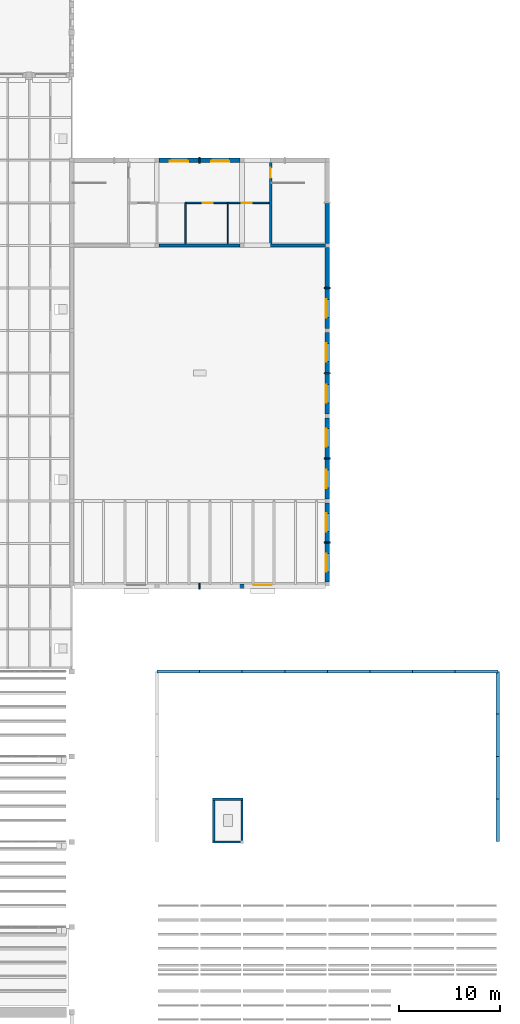
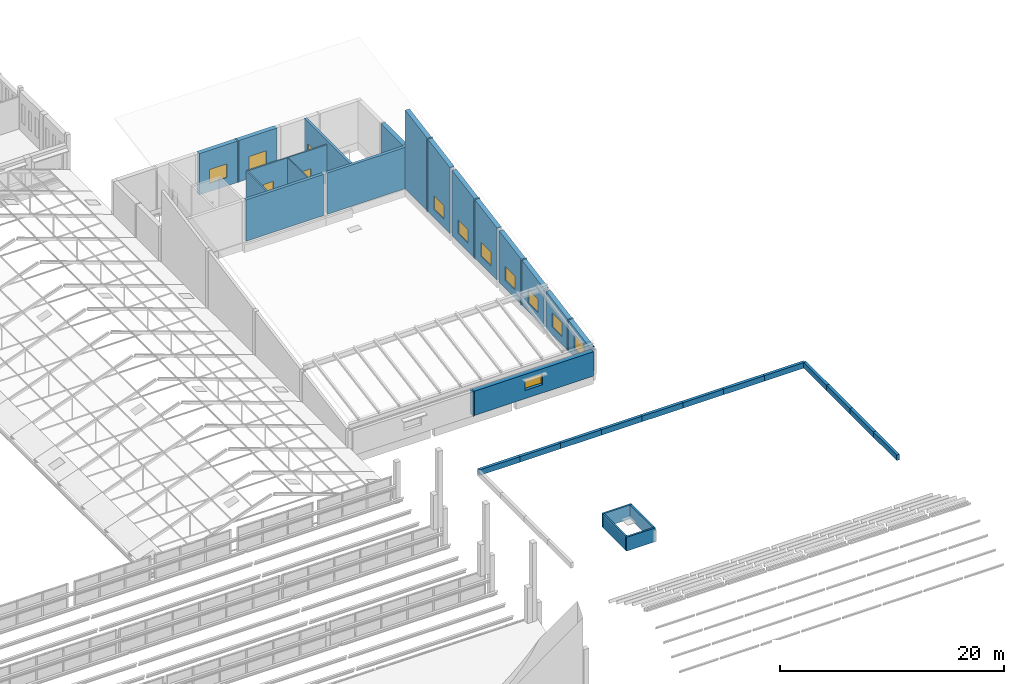
# One storey, part 102 of 116: 40 walls, 10 windows, 3 doors, 13 openings.
"""IFC4 building model written with IfcOpenShell, lengths in metres."""

import ifcopenshell
import ifcopenshell.guid

model = None  # the IFC model being written
_history = None  # IfcOwnerHistory: only IFC2X3 demands one
_inside = {}  # id of a spatial element -> (the spatial element, [elements in it])
_under = {}  # id of a project, library or spatial element -> (it, [spatial elements below it])
_declared = {}  # id of a project -> (the project, [libraries it declares])
_typed = {}  # id of a type object -> (the type object, [elements of that type])
_made_of = {}  # id of a material, layer set ... -> (it, [elements and type objects made of it])


def new_model(schema):
    """Start an empty IFC model of exactly this schema.

    Asked for "IFC4X3", IfcOpenShell would pick the latest addendum, in which some entities
    have other attributes; the version numbers below select the first issue.
    IFC2X3 requires an IfcOwnerHistory on every rooted entity: one is made here for all.
    """
    global model, _history
    if schema == "IFC4X3":
        model = ifcopenshell.file(schema_version=(4, 3, 0, 0))
    else:
        model = ifcopenshell.file(schema=schema)
    _inside.clear()
    _under.clear()
    _declared.clear()
    _typed.clear()
    _made_of.clear()
    _history = None
    if model.schema == "IFC2X3":
        org = make("IfcOrganization", Name="unknown")
        user = make(
            "IfcPersonAndOrganization",
            ThePerson=make("IfcPerson", FamilyName="unknown"),
            TheOrganization=org,
        )
        app = make(
            "IfcApplication",
            ApplicationDeveloper=org,
            Version="unknown",
            ApplicationFullName="unknown",
            ApplicationIdentifier="unknown",
        )
        _history = make(
            "IfcOwnerHistory",
            OwningUser=user,
            OwningApplication=app,
            ChangeAction="ADDED",
            CreationDate=0,
        )
    return model


def make(cls, **values):
    """One entity of the class cls with the attributes given. An attribute that is None is left unset."""
    return model.create_entity(
        cls, **{name: value for name, value in values.items() if value is not None}
    )


def rooted(cls, **values):
    """An entity with a GlobalId (a new one), such as an element, a storey or a relation."""
    return make(cls, GlobalId=ifcopenshell.guid.new(), OwnerHistory=_history, **values)


def si_unit(unit_type, name, prefix=None):
    """IfcSIUnit, for example si_unit("LENGTHUNIT", "METRE", prefix="MILLI")."""
    return make("IfcSIUnit", UnitType=unit_type, Prefix=prefix, Name=name)


def assignment(units):
    """IfcUnitAssignment: the units of a project."""
    return None if units is None else make("IfcUnitAssignment", Units=units)


def point(xyz):
    """IfcCartesianPoint."""
    return None if xyz is None else make("IfcCartesianPoint", Coordinates=xyz)


def direction(xyz):
    """IfcDirection."""
    return None if xyz is None else make("IfcDirection", DirectionRatios=xyz)


def frame(location, z_axis=None, x_axis=None):
    """IfcAxis2Placement3D, a coordinate frame: its origin and axes. An axis left out is left unset."""
    return make(
        "IfcAxis2Placement3D",
        Location=point(location),
        Axis=direction(z_axis),
        RefDirection=direction(x_axis),
    )


def frame_2d(location, x_axis=None):
    """IfcAxis2Placement2D, a coordinate frame in the plane: its origin and x axis."""
    return make(
        "IfcAxis2Placement2D", Location=point(location), RefDirection=direction(x_axis)
    )


def origin():
    """The frame at (0, 0, 0) with its axes left unset."""
    return frame((0.0, 0.0, 0.0))


def place(relative_to, where):
    """IfcLocalPlacement: puts the frame where relative to a parent placement (None: the world)."""
    return make(
        "IfcLocalPlacement", PlacementRelTo=relative_to, RelativePlacement=where
    )


def context(
    kind, dimensions, precision=None, world=None, true_north=None, identifier=None
):
    """IfcGeometricRepresentationContext, for example the 3D "Model" context."""
    return make(
        "IfcGeometricRepresentationContext",
        ContextIdentifier=identifier,
        ContextType=kind,
        CoordinateSpaceDimension=dimensions,
        Precision=precision,
        WorldCoordinateSystem=world,
        TrueNorth=true_north,
    )


def subcontext(parent, identifier, kind, view, scale=None):
    """IfcGeometricRepresentationSubContext, for example "Body" below "Model"."""
    return make(
        "IfcGeometricRepresentationSubContext",
        ContextIdentifier=identifier,
        ContextType=kind,
        ParentContext=parent,
        TargetScale=scale,
        TargetView=view,
    )


def project(units=None, contexts=None):
    """IfcProject with its units and contexts."""
    return rooted(
        "IfcProject",
        Name="project",
        RepresentationContexts=contexts,
        UnitsInContext=assignment(units),
    )


def spatial(cls, under=None, at=None, **own):
    """A site, building, storey or space (cls), placed at a placement, below another one or the project."""
    s = rooted(cls, ObjectPlacement=at, **own)
    if under is not None:
        _under.setdefault(under.id(), (under, []))[1].append(s)
    return s


def polyline(points):
    """IfcPolyline through the points."""
    return make("IfcPolyline", Points=[point(p) for p in points])


def profile(cls, at=None, kind="AREA", **sizes):
    """A parametric profile (cls). Its sizes go by their IFC names, for example OverallWidth=200.0."""
    return make(cls, ProfileType=kind, Position=at, **sizes)


def rectangle(**sizes):
    """IfcRectangleProfileDef."""
    return profile("IfcRectangleProfileDef", **sizes)


def outline(outer, holes=None, kind="AREA"):
    """IfcArbitraryClosedProfileDef: a profile drawn as a closed curve; with holes, ...WithVoids."""
    if holes is None:
        return make("IfcArbitraryClosedProfileDef", ProfileType=kind, OuterCurve=outer)
    return make(
        "IfcArbitraryProfileDefWithVoids",
        ProfileType=kind,
        OuterCurve=outer,
        InnerCurves=holes,
    )


def extrude(swept, where, along, depth):
    """IfcExtrudedAreaSolid: the profile swept, set in the frame where, extruded along a direction by depth."""
    return make(
        "IfcExtrudedAreaSolid",
        SweptArea=swept,
        Position=where,
        ExtrudedDirection=direction(along),
        Depth=depth,
    )


def shape(context_of_items, identifier, shape_type, items):
    """IfcShapeRepresentation: the items that make up one representation, for example the "Body"."""
    return make(
        "IfcShapeRepresentation",
        ContextOfItems=context_of_items,
        RepresentationIdentifier=identifier,
        RepresentationType=shape_type,
        Items=items,
    )


def material(Name=None, Category=None):
    """IfcMaterial."""
    return make("IfcMaterial", Name=Name, Category=Category)


def layer(
    of_material, thickness, ventilated=None, Name=None, Category=None, Priority=None
):
    """IfcMaterialLayer: one layer of a wall or slab, of a material (None: an air gap)."""
    return make(
        "IfcMaterialLayer",
        Material=of_material,
        LayerThickness=thickness,
        IsVentilated=ventilated,
        Name=Name,
        Category=Category,
        Priority=Priority,
    )


def layer_set(layers, Name=None):
    """IfcMaterialLayerSet."""
    return make("IfcMaterialLayerSet", MaterialLayers=layers, LayerSetName=Name)


def made_of(thing, what):
    """Note that an element or type object is made of a material, layer set ...; save() writes the relation."""
    if what is not None:
        _made_of.setdefault(what.id(), (what, []))[1].append(thing)
    return thing


def type_object(cls, material=None, **own):
    """A type object (cls), such as IfcWallType, which elements share."""
    return made_of(rooted(cls, **own), material)


def element(
    cls,
    number,
    at=None,
    inside=None,
    cuts=None,
    type_object=None,
    material=None,
    context=None,
    identifier="Body",
    shape_type=None,
    held_by="IfcProductDefinitionShape",
    body=None,
    shapes=None,
    **own,
):
    """One element of the class cls, such as IfcWall. Its Tag is "e" and its number.

    at: its placement. inside: the storey or other place that contains it. cuts: it is an
    opening in that element (IfcRelVoidsElement). A single representation is given by context,
    identifier, shape_type and body (its items); several are given by shapes. held_by: the class
    of the entity that holds the representations. save() writes the other relations.
    """
    e = rooted(cls, Tag="e%d" % number, ObjectPlacement=at, **own)
    if body is not None:
        shapes = [shape(context, identifier, shape_type, body)]
    if shapes is not None:
        e.Representation = make(held_by, Representations=shapes)
    if inside is not None:
        _inside.setdefault(inside.id(), (inside, []))[1].append(e)
    if cuts is not None:
        rooted(
            "IfcRelVoidsElement", RelatingBuildingElement=cuts, RelatedOpeningElement=e
        )
    if type_object is not None:
        _typed.setdefault(type_object.id(), (type_object, []))[1].append(e)
    return made_of(e, material)


def fill(opening, filler):
    """IfcRelFillsElement: the door or window that sits in an opening."""
    return rooted(
        "IfcRelFillsElement",
        RelatingOpeningElement=opening,
        RelatedBuildingElement=filler,
    )


def aggregate(whole, parts):
    """IfcRelAggregates: a whole, such as a stair, and the parts it consists of."""
    return rooted("IfcRelAggregates", RelatingObject=whole, RelatedObjects=parts)


def save(model, path):
    """Write the relations noted so far, then the file.

    IfcRelAggregates (storeys below a building ...), IfcRelContainedInSpatialStructure (elements
    in a storey), IfcRelDefinesByType, IfcRelAssociatesMaterial and IfcRelDeclares: one each for
    every whole, place, type object, material and project.
    """
    for whole, parts in _under.values():
        aggregate(whole, parts)
    for where, things in _inside.values():
        rooted(
            "IfcRelContainedInSpatialStructure",
            RelatedElements=things,
            RelatingStructure=where,
        )
    for kind, things in _typed.values():
        rooted("IfcRelDefinesByType", RelatedObjects=things, RelatingType=kind)
    for what, things in _made_of.values():
        rooted("IfcRelAssociatesMaterial", RelatedObjects=things, RelatingMaterial=what)
    for by, libraries in _declared.values():
        rooted("IfcRelDeclares", RelatingContext=by, RelatedDefinitions=libraries)
    model.write(path)


model = new_model("IFC4")

# Units and contexts
model_context = context("Model", 3, precision=1e-05, world=origin(), true_north=direction((0.0, 1.0)))
body_context = subcontext(model_context, "Body", "Model", "MODEL_VIEW")
ifc_project = project(units=[si_unit("LENGTHUNIT", "METRE"), si_unit("AREAUNIT", "SQUARE_METRE"), si_unit("VOLUMEUNIT", "CUBIC_METRE"), si_unit("PLANEANGLEUNIT", "RADIAN"), si_unit("MASSUNIT", "GRAM", prefix="KILO")], contexts=[model_context])

# Site, building, storey
site_placement = place(None, origin())
site = spatial("IfcSite", under=ifc_project, at=site_placement, CompositionType="ELEMENT")
building_placement = place(site_placement, origin())
building = spatial("IfcBuilding", under=site, at=building_placement, Name="Fescue Hill Polytechnic", CompositionType="ELEMENT")
storey_placement = place(building_placement, frame((0.0, 0.0, 13.5)))
storey = spatial("IfcBuildingStorey", under=building, at=storey_placement, Name="L03", CompositionType="ELEMENT", Elevation=13.5)

# Wall, opening, door
ifc_material_1 = material(Name="Concrete 40 MPa", Category="concrete")
ifc_layer_1 = layer(ifc_material_1, 0.25)
ifc_layer_set_1 = layer_set([ifc_layer_1], Name="Concrete 40 MPa")
wall_type_1 = type_object("IfcWallType", Name="Core wall 250", PredefinedType="SHEAR", material=ifc_layer_set_1)
wall_1_placement = place(storey_placement, frame((137.199951171875, 92.52490234375, 0.0), z_axis=(0.0, 0.0, 1.0), x_axis=(0.0, 1.0, 0.0)))
wall_1 = element("IfcWall", 1, at=wall_1_placement, inside=storey, type_object=wall_type_1, Name="CW-L03-ST-V2-2-31", PredefinedType="SHEAR", context=body_context, shape_type="SweptSolid", body=[
    extrude(rectangle(XDim=8.150146484375, YDim=0.25, at=frame_2d((4.0751953125, 0.0))), origin(), (0.0, 0.0, 1.0), 4.5),
])
opening_1_placement = place(wall_1_placement, frame((6.52490234375, 0.0, 0.0)))
opening_1 = element("IfcOpeningElement", 2, at=opening_1_placement, cuts=wall_1, Name="Opening D3037", PredefinedType="OPENING", context=body_context, shape_type="SweptSolid", body=[
    extrude(rectangle(XDim=1.0, YDim=2.10009765625, at=frame_2d((0.5, 1.050048828125))), frame((0.0, 0.135009765625, 0.0), z_axis=(0.0, -1.0, 0.0), x_axis=(1.0, 0.0, 0.0)), (0.0, 0.0, 1.0), 0.27001953125),
])
ifc_material_2 = material(Name="Steel fire door", Category="steel")
door_type_1 = type_object("IfcDoorType", Name="Door single swing 1000x2100 stair fire rated", OperationType="NOTDEFINED", PredefinedType="DOOR", material=ifc_material_2)
door_1_placement = place(opening_1_placement, origin())
door_1 = element("IfcDoor", 3, at=door_1_placement, inside=storey, type_object=door_type_1, Name="L03 ST-V2-2 stair door", OperationType="SINGLE_SWING_LEFT", OverallHeight=2.10009765625, OverallWidth=1.0, PredefinedType="DOOR", context=body_context, shape_type="SweptSolid", body=[
    extrude(rectangle(XDim=1.0, YDim=2.10009765625, at=frame_2d((0.5, 1.050048828125))), frame((0.0, 0.02490234375, 0.0), z_axis=(0.0, -1.0, 0.0), x_axis=(1.0, 0.0, 0.0)), (0.0, 0.0, 1.0), 0.050048828125),
])
fill(opening_1, door_1)

# Wall, opening, window
ifc_layer_2 = layer(ifc_material_1, 0.449951171875)
ifc_layer_set_2 = layer_set([ifc_layer_2], Name="Concrete 40 MPa")
wall_type_2 = type_object("IfcWallType", Name="Exterior wall board-marked concrete 450", PredefinedType="SOLIDWALL", material=ifc_layer_set_2)
wall_2_placement = place(storey_placement, frame((134.199951171875, 100.800048828125, 0.0), z_axis=(0.0, 0.0, 1.0), x_axis=(-1.0, 0.0, 0.0)))
wall_2 = element("IfcWall", 4, at=wall_2_placement, inside=storey, type_object=wall_type_2, Name="EW-L03-V2-5", PredefinedType="SOLIDWALL", context=body_context, shape_type="SweptSolid", body=[
    extrude(rectangle(XDim=3.93994140625, YDim=0.449951171875, at=frame_2d((1.969970703125, 0.0))), origin(), (0.0, 0.0, 1.0), 4.5),
])
opening_2_placement = place(wall_2_placement, frame((1.070068359375, 0.0, 0.89990234375)))
opening_2 = element("IfcOpeningElement", 5, at=opening_2_placement, cuts=wall_2, Name="Opening W7", PredefinedType="OPENING", context=body_context, shape_type="SweptSolid", body=[
    extrude(rectangle(XDim=1.800048828125, YDim=1.5, at=frame_2d((0.89990234375, 0.75))), frame((0.0, 0.23486328125, 0.0), z_axis=(0.0, -1.0, 0.0), x_axis=(1.0, 0.0, 0.0)), (0.0, 0.0, 1.0), 0.469970703125),
])
ifc_material_3 = material(Name="Powder-coated aluminium and glass", Category="aluminium")
window_type_1 = type_object("IfcWindowType", Name="Window seminar 1800x1500", PartitioningType="DOUBLE_PANEL_VERTICAL", PredefinedType="WINDOW", material=ifc_material_3)
window_1_placement = place(opening_2_placement, origin())
window_1 = element("IfcWindow", 6, at=window_1_placement, inside=storey, type_object=window_type_1, Name="WN-L03-V2-1", OverallHeight=1.5, OverallWidth=1.800048828125, PartitioningType="SINGLE_PANEL", PredefinedType="WINDOW", context=body_context, shape_type="SweptSolid", body=[
    extrude(rectangle(XDim=1.800048828125, YDim=1.5, at=frame_2d((0.89990234375, 0.75))), frame((0.0, 0.135009765625, 0.0), z_axis=(0.0, -1.0, 0.0), x_axis=(1.0, 0.0, 0.0)), (0.0, 0.0, 1.0), 0.06005859375),
])
fill(opening_2, window_1)

wall_3_placement = place(storey_placement, frame((130.139892578125, 100.800048828125, 0.0), z_axis=(0.0, 0.0, 1.0), x_axis=(-1.0, 0.0, 0.0)))
wall_3 = element("IfcWall", 7, at=wall_3_placement, inside=storey, type_object=wall_type_2, Name="EW-L03-V2-6", PredefinedType="SOLIDWALL", context=body_context, shape_type="SweptSolid", body=[
    extrude(rectangle(XDim=3.93994140625, YDim=0.449951171875, at=frame_2d((1.969970703125, 0.0))), origin(), (0.0, 0.0, 1.0), 4.5),
])
opening_3_placement = place(wall_3_placement, frame((1.070068359375, 0.0, 0.89990234375)))
opening_3 = element("IfcOpeningElement", 8, at=opening_3_placement, cuts=wall_3, Name="Opening W7", PredefinedType="OPENING", context=body_context, shape_type="SweptSolid", body=[
    extrude(rectangle(XDim=1.800048828125, YDim=1.5, at=frame_2d((0.89990234375, 0.75))), frame((0.0, 0.23486328125, 0.0), z_axis=(0.0, -1.0, 0.0), x_axis=(1.0, 0.0, 0.0)), (0.0, 0.0, 1.0), 0.469970703125),
])
window_2_placement = place(opening_3_placement, origin())
window_2 = element("IfcWindow", 9, at=window_2_placement, inside=storey, type_object=window_type_1, Name="WN-L03-V2-2", OverallHeight=1.5, OverallWidth=1.800048828125, PartitioningType="SINGLE_PANEL", PredefinedType="WINDOW", context=body_context, shape_type="SweptSolid", body=[
    extrude(rectangle(XDim=1.800048828125, YDim=1.5, at=frame_2d((0.89990234375, 0.75))), frame((0.0, 0.135009765625, 0.0), z_axis=(0.0, -1.0, 0.0), x_axis=(1.0, 0.0, 0.0)), (0.0, 0.0, 1.0), 0.06005859375),
])
fill(opening_3, window_2)

wall_4_placement = place(storey_placement, frame((130.260009765625, 58.800048828125, 0.0), z_axis=(0.0, 0.0, 1.0), x_axis=(1.0, 0.0, 0.0)))
wall_4 = element("IfcWall", 10, at=wall_4_placement, inside=storey, type_object=wall_type_2, Name="EW-L03-V2-15", PredefinedType="SOLIDWALL", context=body_context, shape_type="SweptSolid", body=[
    extrude(rectangle(XDim=12.340087890625, YDim=0.449951171875, at=frame_2d((6.169921875, 0.0))), origin(), (0.0, 0.0, 1.0), 2.64990234375),
])
opening_4_placement = place(wall_4_placement, frame((5.27001953125, 0.0, 0.89990234375)))
opening_4 = element("IfcOpeningElement", 11, at=opening_4_placement, cuts=wall_4, Name="Opening W7R", PredefinedType="OPENING", context=body_context, shape_type="SweptSolid", body=[
    extrude(rectangle(XDim=1.800048828125, YDim=1.199951171875, at=frame_2d((0.89990234375, 0.60009765625))), frame((0.0, 0.23486328125, 0.0), z_axis=(0.0, -1.0, 0.0), x_axis=(1.0, 0.0, 0.0)), (0.0, 0.0, 1.0), 0.469970703125),
])
window_type_2 = type_object("IfcWindowType", Name="Window seminar 1800x1200", PartitioningType="DOUBLE_PANEL_VERTICAL", PredefinedType="WINDOW", material=ifc_material_3)
window_3_placement = place(opening_4_placement, origin())
window_3 = element("IfcWindow", 12, at=window_3_placement, inside=storey, type_object=window_type_2, Name="WN-L03-V2-4", OverallHeight=1.199951171875, OverallWidth=1.800048828125, PartitioningType="SINGLE_PANEL", PredefinedType="WINDOW", context=body_context, shape_type="SweptSolid", body=[
    extrude(rectangle(XDim=1.800048828125, YDim=1.199951171875, at=frame_2d((0.89990234375, 0.60009765625))), frame((0.0, 0.135009765625, 0.0), z_axis=(0.0, -1.0, 0.0), x_axis=(1.0, 0.0, 0.0)), (0.0, 0.0, 1.0), 0.06005859375),
])
fill(opening_4, window_3)

wall_5_placement = place(storey_placement, frame((142.800048828125, 59.199951171875, 0.0), z_axis=(0.0, 0.0, 1.0), x_axis=(0.0, 1.0, 0.0)))
wall_5 = element("IfcWall", 13, at=wall_5_placement, inside=storey, type_object=wall_type_2, Name="EW-L03-V2-16", PredefinedType="SOLIDWALL", context=body_context, shape_type="SweptSolid", body=[
    extrude(outline(polyline([(0.0, 0.0), (3.840087890625, 0.0), (3.840087890625, 3.406982421875), (0.0, 2.721435546875), (0.0, 0.0)])), frame((0.0, 0.22509765625, 0.0), z_axis=(0.0, -1.0, 0.0), x_axis=(1.0, 0.0, 0.0)), (0.0, 0.0, 1.0), 0.449951171875),
])
opening_5_placement = place(wall_5_placement, frame((1.02001953125, 0.0, 0.89990234375)))
opening_5 = element("IfcOpeningElement", 14, at=opening_5_placement, cuts=wall_5, Name="Opening W7", PredefinedType="OPENING", context=body_context, shape_type="SweptSolid", body=[
    extrude(rectangle(XDim=1.800048828125, YDim=1.5, at=frame_2d((0.89990234375, 0.75))), frame((0.0, 0.23486328125, 0.0), z_axis=(0.0, -1.0, 0.0), x_axis=(1.0, 0.0, 0.0)), (0.0, 0.0, 1.0), 0.469970703125),
])
window_4_placement = place(opening_5_placement, origin())
window_4 = element("IfcWindow", 15, at=window_4_placement, inside=storey, type_object=window_type_1, Name="WN-L03-V2-5", OverallHeight=1.5, OverallWidth=1.800048828125, PartitioningType="SINGLE_PANEL", PredefinedType="WINDOW", context=body_context, shape_type="SweptSolid", body=[
    extrude(rectangle(XDim=1.800048828125, YDim=1.5, at=frame_2d((0.89990234375, 0.75))), frame((0.0, 0.135009765625, 0.0), z_axis=(0.0, -1.0, 0.0), x_axis=(1.0, 0.0, 0.0)), (0.0, 0.0, 1.0), 0.06005859375),
])
fill(opening_5, window_4)

wall_6_placement = place(storey_placement, frame((142.800048828125, 63.159912109375, 0.0), z_axis=(0.0, 0.0, 1.0), x_axis=(0.0, 1.0, 0.0)))
wall_6 = element("IfcWall", 16, at=wall_6_placement, inside=storey, type_object=wall_type_2, Name="EW-L03-V2-17", PredefinedType="SOLIDWALL", context=body_context, shape_type="SweptSolid", body=[
    extrude(outline(polyline([(0.0, 0.0), (3.840087890625, 0.0), (3.840087890625, 4.1142578125), (0.0, 3.4287109375), (0.0, 0.0)])), frame((0.0, 0.22509765625, 0.0), z_axis=(0.0, -1.0, 0.0), x_axis=(1.0, 0.0, 0.0)), (0.0, 0.0, 1.0), 0.449951171875),
])
opening_6_placement = place(wall_6_placement, frame((1.02001953125, 0.0, 0.89990234375)))
opening_6 = element("IfcOpeningElement", 17, at=opening_6_placement, cuts=wall_6, Name="Opening W7", PredefinedType="OPENING", context=body_context, shape_type="SweptSolid", body=[
    extrude(rectangle(XDim=1.800048828125, YDim=1.5, at=frame_2d((0.89990234375, 0.75))), frame((0.0, 0.23486328125, 0.0), z_axis=(0.0, -1.0, 0.0), x_axis=(1.0, 0.0, 0.0)), (0.0, 0.0, 1.0), 0.469970703125),
])
window_5_placement = place(opening_6_placement, origin())
window_5 = element("IfcWindow", 18, at=window_5_placement, inside=storey, type_object=window_type_1, Name="WN-L03-V2-6", OverallHeight=1.5, OverallWidth=1.800048828125, PartitioningType="SINGLE_PANEL", PredefinedType="WINDOW", context=body_context, shape_type="SweptSolid", body=[
    extrude(rectangle(XDim=1.800048828125, YDim=1.5, at=frame_2d((0.89990234375, 0.75))), frame((0.0, 0.135009765625, 0.0), z_axis=(0.0, -1.0, 0.0), x_axis=(1.0, 0.0, 0.0)), (0.0, 0.0, 1.0), 0.06005859375),
])
fill(opening_6, window_5)

wall_7_placement = place(storey_placement, frame((142.800048828125, 67.39990234375, 0.0), z_axis=(0.0, 0.0, 1.0), x_axis=(0.0, 1.0, 0.0)))
wall_7 = element("IfcWall", 19, at=wall_7_placement, inside=storey, type_object=wall_type_2, Name="EW-L03-V2-18", PredefinedType="SOLIDWALL", context=body_context, shape_type="SweptSolid", body=[
    extrude(outline(polyline([(0.0, 0.0), (3.940185546875, 0.0), (3.93994140625, 4.889404296875), (0.0, 4.185791015625), (0.0, 0.0)])), frame((0.0, 0.22509765625, 0.0), z_axis=(0.0, -1.0, 0.0), x_axis=(1.0, 0.0, 0.0)), (0.0, 0.0, 1.0), 0.449951171875),
])
opening_7_placement = place(wall_7_placement, frame((1.070068359375, 0.0, 0.89990234375)))
opening_7 = element("IfcOpeningElement", 20, at=opening_7_placement, cuts=wall_7, Name="Opening W7", PredefinedType="OPENING", context=body_context, shape_type="SweptSolid", body=[
    extrude(rectangle(XDim=1.800048828125, YDim=1.5, at=frame_2d((0.89990234375, 0.75))), frame((0.0, 0.23486328125, 0.0), z_axis=(0.0, -1.0, 0.0), x_axis=(1.0, 0.0, 0.0)), (0.0, 0.0, 1.0), 0.469970703125),
])
window_6_placement = place(opening_7_placement, origin())
window_6 = element("IfcWindow", 21, at=window_6_placement, inside=storey, type_object=window_type_1, Name="WN-L03-V2-7", OverallHeight=1.5, OverallWidth=1.800048828125, PartitioningType="SINGLE_PANEL", PredefinedType="WINDOW", context=body_context, shape_type="SweptSolid", body=[
    extrude(rectangle(XDim=1.800048828125, YDim=1.5, at=frame_2d((0.89990234375, 0.75))), frame((0.0, 0.135009765625, 0.0), z_axis=(0.0, -1.0, 0.0), x_axis=(1.0, 0.0, 0.0)), (0.0, 0.0, 1.0), 0.06005859375),
])
fill(opening_7, window_6)

wall_8_placement = place(storey_placement, frame((142.800048828125, 71.4599609375, 0.0), z_axis=(0.0, 0.0, 1.0), x_axis=(0.0, 1.0, 0.0)))
wall_8 = element("IfcWall", 22, at=wall_8_placement, inside=storey, type_object=wall_type_2, Name="EW-L03-V2-19", PredefinedType="SOLIDWALL", context=body_context, shape_type="SweptSolid", body=[
    extrude(outline(polyline([(0.0, 0.0), (3.93994140625, 0.0), (3.93994140625, 5.6142578125), (0.0, 4.91064453125), (0.0, 0.0)])), frame((0.0, 0.22509765625, 0.0), z_axis=(0.0, -1.0, 0.0), x_axis=(1.0, 0.0, 0.0)), (0.0, 0.0, 1.0), 0.449951171875),
])
opening_8_placement = place(wall_8_placement, frame((1.070068359375, 0.0, 0.89990234375)))
opening_8 = element("IfcOpeningElement", 23, at=opening_8_placement, cuts=wall_8, Name="Opening W7", PredefinedType="OPENING", context=body_context, shape_type="SweptSolid", body=[
    extrude(rectangle(XDim=1.800048828125, YDim=1.5, at=frame_2d((0.89990234375, 0.75))), frame((0.0, 0.23486328125, 0.0), z_axis=(0.0, -1.0, 0.0), x_axis=(1.0, 0.0, 0.0)), (0.0, 0.0, 1.0), 0.469970703125),
])
window_7_placement = place(opening_8_placement, origin())
window_7 = element("IfcWindow", 24, at=window_7_placement, inside=storey, type_object=window_type_1, Name="WN-L03-V2-8", OverallHeight=1.5, OverallWidth=1.800048828125, PartitioningType="SINGLE_PANEL", PredefinedType="WINDOW", context=body_context, shape_type="SweptSolid", body=[
    extrude(rectangle(XDim=1.800048828125, YDim=1.5, at=frame_2d((0.89990234375, 0.75))), frame((0.0, 0.135009765625, 0.0), z_axis=(0.0, -1.0, 0.0), x_axis=(1.0, 0.0, 0.0)), (0.0, 0.0, 1.0), 0.06005859375),
])
fill(opening_8, window_7)

wall_9_placement = place(storey_placement, frame((142.800048828125, 75.800048828125, 0.0), z_axis=(0.0, 0.0, 1.0), x_axis=(0.0, 1.0, 0.0)))
wall_9 = element("IfcWall", 25, at=wall_9_placement, inside=storey, type_object=wall_type_2, Name="EW-L03-V2-20", PredefinedType="SOLIDWALL", context=body_context, shape_type="SweptSolid", body=[
    extrude(outline(polyline([(0.0, 0.0), (3.93994140625, 0.0), (3.93994140625, 6.389404296875), (0.0, 5.685791015625), (0.0, 0.0)])), frame((0.0, 0.22509765625, 0.0), z_axis=(0.0, -1.0, 0.0), x_axis=(1.0, 0.0, 0.0)), (0.0, 0.0, 1.0), 0.449951171875),
])
opening_9_placement = place(wall_9_placement, frame((1.070068359375, 0.0, 0.89990234375)))
opening_9 = element("IfcOpeningElement", 26, at=opening_9_placement, cuts=wall_9, Name="Opening W7", PredefinedType="OPENING", context=body_context, shape_type="SweptSolid", body=[
    extrude(rectangle(XDim=1.800048828125, YDim=1.5, at=frame_2d((0.89990234375, 0.75))), frame((0.0, 0.23486328125, 0.0), z_axis=(0.0, -1.0, 0.0), x_axis=(1.0, 0.0, 0.0)), (0.0, 0.0, 1.0), 0.469970703125),
])
window_8_placement = place(opening_9_placement, origin())
window_8 = element("IfcWindow", 27, at=window_8_placement, inside=storey, type_object=window_type_1, Name="WN-L03-V2-9", OverallHeight=1.5, OverallWidth=1.800048828125, PartitioningType="SINGLE_PANEL", PredefinedType="WINDOW", context=body_context, shape_type="SweptSolid", body=[
    extrude(rectangle(XDim=1.800048828125, YDim=1.5, at=frame_2d((0.89990234375, 0.75))), frame((0.0, 0.135009765625, 0.0), z_axis=(0.0, -1.0, 0.0), x_axis=(1.0, 0.0, 0.0)), (0.0, 0.0, 1.0), 0.06005859375),
])
fill(opening_9, window_8)

wall_10_placement = place(storey_placement, frame((142.800048828125, 79.860107421875, 0.0), z_axis=(0.0, 0.0, 1.0), x_axis=(0.0, 1.0, 0.0)))
wall_10 = element("IfcWall", 28, at=wall_10_placement, inside=storey, type_object=wall_type_2, Name="EW-L03-V2-21", PredefinedType="SOLIDWALL", context=body_context, shape_type="SweptSolid", body=[
    extrude(outline(polyline([(0.0, 0.0), (3.93994140625, 0.0), (3.93994140625, 7.1142578125), (0.0, 6.41064453125), (0.0, 0.0)])), frame((0.0, 0.22509765625, 0.0), z_axis=(0.0, -1.0, 0.0), x_axis=(1.0, 0.0, 0.0)), (0.0, 0.0, 1.0), 0.449951171875),
])
opening_10_placement = place(wall_10_placement, frame((1.070068359375, 0.0, 0.89990234375)))
opening_10 = element("IfcOpeningElement", 29, at=opening_10_placement, cuts=wall_10, Name="Opening W7", PredefinedType="OPENING", context=body_context, shape_type="SweptSolid", body=[
    extrude(rectangle(XDim=1.800048828125, YDim=1.5, at=frame_2d((0.89990234375, 0.75))), frame((0.0, 0.23486328125, 0.0), z_axis=(0.0, -1.0, 0.0), x_axis=(1.0, 0.0, 0.0)), (0.0, 0.0, 1.0), 0.469970703125),
])
window_9_placement = place(opening_10_placement, origin())
window_9 = element("IfcWindow", 30, at=window_9_placement, inside=storey, type_object=window_type_1, Name="WN-L03-V2-10", OverallHeight=1.5, OverallWidth=1.800048828125, PartitioningType="SINGLE_PANEL", PredefinedType="WINDOW", context=body_context, shape_type="SweptSolid", body=[
    extrude(rectangle(XDim=1.800048828125, YDim=1.5, at=frame_2d((0.89990234375, 0.75))), frame((0.0, 0.135009765625, 0.0), z_axis=(0.0, -1.0, 0.0), x_axis=(1.0, 0.0, 0.0)), (0.0, 0.0, 1.0), 0.06005859375),
])
fill(opening_10, window_9)

wall_11_placement = place(storey_placement, frame((142.800048828125, 84.199951171875, 0.0), z_axis=(0.0, 0.0, 1.0), x_axis=(0.0, 1.0, 0.0)))
wall_11 = element("IfcWall", 31, at=wall_11_placement, inside=storey, type_object=wall_type_2, Name="EW-L03-V2-22", PredefinedType="SOLIDWALL", context=body_context, shape_type="SweptSolid", body=[
    extrude(outline(polyline([(0.0, 0.0), (3.93994140625, 0.0), (3.93994140625, 7.889404296875), (0.0, 7.185791015625), (0.0, 0.0)])), frame((0.0, 0.22509765625, 0.0), z_axis=(0.0, -1.0, 0.0), x_axis=(1.0, 0.0, 0.0)), (0.0, 0.0, 1.0), 0.449951171875),
])
opening_11_placement = place(wall_11_placement, frame((1.070068359375, 0.0, 0.89990234375)))
opening_11 = element("IfcOpeningElement", 32, at=opening_11_placement, cuts=wall_11, Name="Opening W7", PredefinedType="OPENING", context=body_context, shape_type="SweptSolid", body=[
    extrude(rectangle(XDim=1.800048828125, YDim=1.5, at=frame_2d((0.89990234375, 0.75))), frame((0.0, 0.23486328125, 0.0), z_axis=(0.0, -1.0, 0.0), x_axis=(1.0, 0.0, 0.0)), (0.0, 0.0, 1.0), 0.469970703125),
])
window_10_placement = place(opening_11_placement, origin())
window_10 = element("IfcWindow", 33, at=window_10_placement, inside=storey, type_object=window_type_1, Name="WN-L03-V2-11", OverallHeight=1.5, OverallWidth=1.800048828125, PartitioningType="SINGLE_PANEL", PredefinedType="WINDOW", context=body_context, shape_type="SweptSolid", body=[
    extrude(rectangle(XDim=1.800048828125, YDim=1.5, at=frame_2d((0.89990234375, 0.75))), frame((0.0, 0.135009765625, 0.0), z_axis=(0.0, -1.0, 0.0), x_axis=(1.0, 0.0, 0.0)), (0.0, 0.0, 1.0), 0.06005859375),
])
fill(opening_11, window_10)

# Walls
wall_12_placement = place(storey_placement, frame((142.800048828125, 88.260009765625, 0.0), z_axis=(0.0, 0.0, 1.0), x_axis=(0.0, 1.0, 0.0)))
element("IfcWall", 34, at=wall_12_placement, inside=storey, type_object=wall_type_2, Name="EW-L03-V2-23", PredefinedType="SOLIDWALL", context=body_context, shape_type="SweptSolid", body=[
    extrude(outline(polyline([(0.0, 0.0), (3.93994140625, 0.0), (3.93994140625, 8.6142578125), (0.0, 7.91064453125), (0.0, 0.0)])), frame((0.0, 0.22509765625, 0.0), z_axis=(0.0, -1.0, 0.0), x_axis=(1.0, 0.0, 0.0)), (0.0, 0.0, 1.0), 0.449951171875),
])
ifc_layer_3 = layer(ifc_material_1, 0.449951171875)
ifc_layer_set_3 = layer_set([ifc_layer_3], Name="Concrete 40 MPa")
wall_type_3 = type_object("IfcWallType", Name="Exterior wall board-marked concrete 450 load-bearing", PredefinedType="SOLIDWALL", material=ifc_layer_set_3)
wall_13_placement = place(storey_placement, frame((142.800048828125, 92.60009765625, 0.0), z_axis=(0.0, 0.0, 1.0), x_axis=(0.0, 1.0, 0.0)))
element("IfcWall", 35, at=wall_13_placement, inside=storey, type_object=wall_type_3, Name="EW-L03-V2-1", PredefinedType="SOLIDWALL", context=body_context, shape_type="SweptSolid", body=[
    extrude(rectangle(XDim=3.93994140625, YDim=0.449951171875, at=frame_2d((1.969970703125, 0.0))), origin(), (0.0, 0.0, 1.0), 4.5),
])
ifc_layer_4 = layer(ifc_material_1, 0.300048828125)
ifc_layer_set_4 = layer_set([ifc_layer_4], Name="Concrete 40 MPa")
wall_type_4 = type_object("IfcWallType", Name="Hall wall concrete 300 fire rated", PredefinedType="SOLIDWALL", material=ifc_layer_set_4)
wall_14_placement = place(storey_placement, frame((126.199951171875, 92.39990234375, 0.0), z_axis=(0.0, 0.0, 1.0), x_axis=(1.0, 0.0, 0.0)))
element("IfcWall", 36, at=wall_14_placement, inside=storey, type_object=wall_type_4, Name="EW-L03-V2-12", PredefinedType="SOLIDWALL", context=body_context, shape_type="SweptSolid", body=[
    extrude(rectangle(XDim=8.0, YDim=0.300048828125, at=frame_2d((4.0, 0.0))), origin(), (0.0, 0.0, 1.0), 4.5),
])
ifc_layer_5 = layer(ifc_material_1, 0.300048828125)
ifc_layer_set_5 = layer_set([ifc_layer_5], Name="Concrete 40 MPa")
wall_type_5 = type_object("IfcWallType", Name="Hall wall concrete 300 load-bearing REI 120", PredefinedType="SOLIDWALL", material=ifc_layer_set_5)
wall_15_placement = place(storey_placement, frame((134.60009765625, 92.39990234375, 0.0), z_axis=(0.0, 0.0, 1.0), x_axis=(1.0, 0.0, 0.0)))
element("IfcWall", 37, at=wall_15_placement, inside=storey, type_object=wall_type_5, Name="EW-L03-V2-13", PredefinedType="SOLIDWALL", context=body_context, shape_type="SweptSolid", body=[
    extrude(rectangle(XDim=8.0, YDim=0.300048828125, at=frame_2d((4.0, 0.0))), origin(), (0.0, 0.0, 1.0), 4.5),
])
ifc_layer_6 = layer(ifc_material_1, 0.199951171875)
ifc_layer_set_6 = layer_set([ifc_layer_6], Name="Concrete 40 MPa")
wall_type_6 = type_object("IfcWallType", Name="Lift shaft wall 200", PredefinedType="SHEAR", material=ifc_layer_set_6)
for number, where, z_axis, x_axis, name in (
    (38, (131.5, 33.60009765625, 0.0), (0.0, 0.0, 1.0), (1.0, 0.0, 0.0), "OW-LF-V3-1-1"),
    (39, (131.5, 37.800048828125, 0.0), (0.0, 0.0, 1.0), (1.0, 0.0, 0.0), "OW-LF-V3-1-2"),
):
    element("IfcWall", number, at=place(storey_placement, frame(where, z_axis=z_axis, x_axis=x_axis)), inside=storey, type_object=wall_type_6, Name=name, PredefinedType="SHEAR", context=body_context, shape_type="SweptSolid", body=[
        extrude(rectangle(XDim=3.0, YDim=0.199951171875, at=frame_2d((1.5, 0.0))), origin(), (0.0, 0.0, 1.0), 1.5),
    ])
for number, where, z_axis, x_axis, name in (
    (40, (131.60009765625, 33.699951171875, 0.0), (0.0, 0.0, 1.0), (0.0, 1.0, 0.0), "OW-LF-V3-1-3"),
    (41, (134.39990234375, 33.699951171875, 0.0), (0.0, 0.0, 1.0), (0.0, 1.0, 0.0), "OW-LF-V3-1-4"),
):
    element("IfcWall", number, at=place(storey_placement, frame(where, z_axis=z_axis, x_axis=x_axis)), inside=storey, type_object=wall_type_6, Name=name, PredefinedType="SHEAR", context=body_context, shape_type="SweptSolid", body=[
        extrude(rectangle(XDim=4.0, YDim=0.199951171875, at=frame_2d((2.0, 0.0))), origin(), (0.0, 0.0, 1.0), 1.5),
    ])

# Wall, openings, doors
ifc_material_4 = material(Name="Gypsum board partition")
ifc_layer_7 = layer(ifc_material_4, 0.14990234375)
ifc_layer_set_7 = layer_set([ifc_layer_7], Name="Gypsum board partition")
wall_type_7 = type_object("IfcWallType", Name="Lobby wall 150 EI 60", PredefinedType="PARTITIONING", material=ifc_layer_set_7)
wall_16_placement = place(storey_placement, frame((128.800048828125, 96.60009765625, 0.0), z_axis=(0.0, 0.0, 1.0), x_axis=(1.0, 0.0, 0.0)))
wall_16 = element("IfcWall", 42, at=wall_16_placement, inside=storey, type_object=wall_type_7, Name="IW-L03-016", PredefinedType="PARTITIONING", context=body_context, shape_type="SweptSolid", body=[
    extrude(rectangle(XDim=8.25, YDim=0.14990234375, at=frame_2d((4.125, 0.0))), origin(), (0.0, 0.0, 1.0), 4.14990234375),
])
opening_12_placement = place(wall_16_placement, frame((1.699951171875, 0.0, 0.0)))
opening_12 = element("IfcOpeningElement", 43, at=opening_12_placement, cuts=wall_16, Name="Opening D3001", PredefinedType="OPENING", context=body_context, shape_type="SweptSolid", body=[
    extrude(rectangle(XDim=1.0, YDim=2.10009765625, at=frame_2d((0.5, 1.050048828125))), frame((0.0, 0.0849609375, 0.0), z_axis=(0.0, -1.0, 0.0), x_axis=(1.0, 0.0, 0.0)), (0.0, 0.0, 1.0), 0.169921875),
])
opening_13_placement = place(wall_16_placement, frame((5.550048828125, 0.0, 0.0)))
opening_13 = element("IfcOpeningElement", 44, at=opening_13_placement, cuts=wall_16, Name="Opening D3002", PredefinedType="OPENING", context=body_context, shape_type="SweptSolid", body=[
    extrude(rectangle(XDim=1.0, YDim=2.10009765625, at=frame_2d((0.5, 1.050048828125))), frame((0.0, 0.0849609375, 0.0), z_axis=(0.0, -1.0, 0.0), x_axis=(1.0, 0.0, 0.0)), (0.0, 0.0, 1.0), 0.169921875),
])
ifc_material_5 = material(Name="Steel", Category="steel")
door_type_2 = type_object("IfcDoorType", Name="Door single swing 1000x2100 FD60", OperationType="SINGLE_SWING_LEFT", PredefinedType="DOOR", material=ifc_material_5)
door_2_placement = place(opening_12_placement, origin())
door_2 = element("IfcDoor", 45, at=door_2_placement, inside=storey, type_object=door_type_2, Name="Door D3001", OperationType="SINGLE_SWING_LEFT", OverallHeight=2.10009765625, OverallWidth=1.0, PredefinedType="DOOR", context=body_context, shape_type="SweptSolid", body=[
    extrude(rectangle(XDim=1.0, YDim=2.10009765625, at=frame_2d((0.5, 1.050048828125))), frame((0.0, 0.02490234375, 0.0), z_axis=(0.0, -1.0, 0.0), x_axis=(1.0, 0.0, 0.0)), (0.0, 0.0, 1.0), 0.050048828125),
])
fill(opening_12, door_2)
door_3_placement = place(opening_13_placement, origin())
door_3 = element("IfcDoor", 46, at=door_3_placement, inside=storey, type_object=door_type_2, Name="Door D3002", OperationType="SINGLE_SWING_RIGHT", OverallHeight=2.10009765625, OverallWidth=1.0, PredefinedType="DOOR", context=body_context, shape_type="SweptSolid", body=[
    extrude(rectangle(XDim=1.0, YDim=2.10009765625, at=frame_2d((0.5, 1.050048828125))), frame((0.0, 0.02490234375, 0.0), z_axis=(0.0, -1.0, 0.0), x_axis=(1.0, 0.0, 0.0)), (0.0, 0.0, 1.0), 0.050048828125),
])
fill(opening_13, door_3)

# Walls
wall_17_placement = place(storey_placement, frame((128.800048828125, 92.550048828125, 0.0), z_axis=(0.0, 0.0, 1.0), x_axis=(0.0, 1.0, 0.0)))
element("IfcWall", 47, at=wall_17_placement, inside=storey, type_object=wall_type_7, Name="IW-L03-061", PredefinedType="PARTITIONING", context=body_context, shape_type="SweptSolid", body=[
    extrude(rectangle(XDim=4.050048828125, YDim=0.14990234375, at=frame_2d((2.02490234375, 0.0))), origin(), (0.0, 0.0, 1.0), 4.14990234375),
])
ifc_material_6 = material(Name="Clay brick masonry", Category="masonry")
ifc_layer_8 = layer(ifc_material_6, 0.300048828125)
ifc_layer_set_8 = layer_set([ifc_layer_8], Name="Clay brick masonry")
wall_type_8 = type_object("IfcWallType", Name="Parapet wall brick 300", PredefinedType="PARAPET", material=ifc_layer_set_8)
for number, where, z_axis, x_axis, name in (
    (48, (126.0, 50.39990234375, 0.0), (0.0, 0.0, 1.0), (1.0, 0.0, 0.0), "PP-L03-V3-1"),
    (49, (130.199951171875, 50.39990234375, 0.0), (0.0, 0.0, 1.0), (1.0, 0.0, 0.0), "PP-L03-V3-2"),
):
    element("IfcWall", number, at=place(storey_placement, frame(where, z_axis=z_axis, x_axis=x_axis)), inside=storey, type_object=wall_type_8, Name=name, PredefinedType="PARAPET", context=body_context, shape_type="SweptSolid", body=[
        extrude(rectangle(XDim=4.199951171875, YDim=0.300048828125, at=frame_2d((2.10009765625, 0.0))), origin(), (0.0, 0.0, 1.0), 0.60009765625),
    ])
wall_18_placement = place(storey_placement, frame((134.39990234375, 50.39990234375, 0.0), z_axis=(0.0, 0.0, 1.0), x_axis=(1.0, 0.0, 0.0)))
element("IfcWall", 50, at=wall_18_placement, inside=storey, type_object=wall_type_8, Name="PP-L03-V3-3", PredefinedType="PARAPET", context=body_context, shape_type="SweptSolid", body=[
    extrude(rectangle(XDim=4.2001953125, YDim=0.300048828125, at=frame_2d((2.10009765625, 0.0))), origin(), (0.0, 0.0, 1.0), 0.60009765625),
])
for number, where, z_axis, x_axis, name in (
    (51, (138.60009765625, 50.39990234375, 0.0), (0.0, 0.0, 1.0), (1.0, 0.0, 0.0), "PP-L03-V3-4"),
    (52, (142.800048828125, 50.39990234375, 0.0), (0.0, 0.0, 1.0), (1.0, 0.0, 0.0), "PP-L03-V3-5"),
    (53, (147.0, 50.39990234375, 0.0), (0.0, 0.0, 1.0), (1.0, 0.0, 0.0), "PP-L03-V3-6"),
    (54, (151.199951171875, 50.39990234375, 0.0), (0.0, 0.0, 1.0), (1.0, 0.0, 0.0), "PP-L03-V3-7"),
):
    element("IfcWall", number, at=place(storey_placement, frame(where, z_axis=z_axis, x_axis=x_axis)), inside=storey, type_object=wall_type_8, Name=name, PredefinedType="PARAPET", context=body_context, shape_type="SweptSolid", body=[
        extrude(rectangle(XDim=4.199951171875, YDim=0.300048828125, at=frame_2d((2.10009765625, 0.0))), origin(), (0.0, 0.0, 1.0), 0.60009765625),
    ])
wall_19_placement = place(storey_placement, frame((155.39990234375, 50.39990234375, 0.0), z_axis=(0.0, 0.0, 1.0), x_axis=(1.0, 0.0, 0.0)))
element("IfcWall", 55, at=wall_19_placement, inside=storey, type_object=wall_type_8, Name="PP-L03-V3-8", PredefinedType="PARAPET", context=body_context, shape_type="SweptSolid", body=[
    extrude(rectangle(XDim=4.2001953125, YDim=0.300048828125, at=frame_2d((2.10009765625, 0.0))), origin(), (0.0, 0.0, 1.0), 0.60009765625),
])
for number, where, z_axis, x_axis, name in (
    (56, (159.60009765625, 50.39990234375, 0.0), (0.0, 0.0, 1.0), (0.0, -1.0, 0.0), "PP-L03-V3-9"),
    (57, (159.60009765625, 46.21240234375, 0.0), (0.0, 0.0, 1.0), (0.0, -1.0, 0.0), "PP-L03-V3-10"),
    (58, (159.60009765625, 42.02490234375, 0.0), (0.0, 0.0, 1.0), (0.0, -1.0, 0.0), "PP-L03-V3-11"),
    (59, (159.60009765625, 37.83740234375, 0.0), (0.0, 0.0, 1.0), (0.0, -1.0, 0.0), "PP-L03-V3-12"),
):
    element("IfcWall", number, at=place(storey_placement, frame(where, z_axis=z_axis, x_axis=x_axis)), inside=storey, type_object=wall_type_8, Name=name, PredefinedType="PARAPET", context=body_context, shape_type="SweptSolid", body=[
        extrude(rectangle(XDim=4.1875, YDim=0.300048828125, at=frame_2d((2.09375, 0.0))), origin(), (0.0, 0.0, 1.0), 0.60009765625),
    ])
ifc_material_7 = material(Name="Glulam 24f-EX", Category="wood")
ifc_layer_9 = layer(ifc_material_7, 0.60009765625)
ifc_layer_set_9 = layer_set([ifc_layer_9], Name="Glulam 24f-EX")
wall_type_9 = type_object("IfcWallType", Name="Timber fin 120x600", PredefinedType="SOLIDWALL", material=ifc_layer_set_9)
wall_20_placement = place(storey_placement, frame((130.260009765625, 100.800048828125, 0.0), z_axis=(0.0, 0.0, 1.0), x_axis=(-1.0, 0.0, 0.0)))
element("IfcWall", 60, at=wall_20_placement, inside=storey, type_object=wall_type_9, Name="PR-L03-V2-3", PredefinedType="SOLIDWALL", context=body_context, shape_type="SweptSolid", body=[
    extrude(rectangle(XDim=0.1201171875, YDim=0.60009765625, at=frame_2d((0.06005859375, 0.0))), origin(), (0.0, 0.0, 1.0), 4.5),
])
wall_21_placement = place(storey_placement, frame((130.139892578125, 58.800048828125, 0.0), z_axis=(0.0, 0.0, 1.0), x_axis=(1.0, 0.0, 0.0)))
element("IfcWall", 61, at=wall_21_placement, inside=storey, type_object=wall_type_9, Name="PR-L03-V2-6", PredefinedType="SOLIDWALL", context=body_context, shape_type="SweptSolid", body=[
    extrude(rectangle(XDim=0.1201171875, YDim=0.60009765625, at=frame_2d((0.06005859375, 0.0))), origin(), (0.0, 0.0, 1.0), 2.64990234375),
])
wall_22_placement = place(storey_placement, frame((142.800048828125, 63.0400390625, 0.0), z_axis=(0.0, 0.0, 1.0), x_axis=(0.0, 1.0, 0.0)))
element("IfcWall", 62, at=wall_22_placement, inside=storey, type_object=wall_type_9, Name="PR-L03-V2-7", PredefinedType="SOLIDWALL", context=body_context, shape_type="SweptSolid", body=[
    extrude(outline(polyline([(0.0, 0.0), (0.119873046875, 0.0), (0.1201171875, 3.4287109375), (0.0, 3.406982421875), (0.0, 0.0)])), frame((0.0, 0.300048828125, 0.0), z_axis=(0.0, -1.0, 0.0), x_axis=(1.0, 0.0, 0.0)), (0.0, 0.0, 1.0), 0.60009765625),
])
wall_23_placement = place(storey_placement, frame((142.800048828125, 71.340087890625, 0.0), z_axis=(0.0, 0.0, 1.0), x_axis=(0.0, 1.0, 0.0)))
element("IfcWall", 63, at=wall_23_placement, inside=storey, type_object=wall_type_9, Name="PR-L03-V2-8", PredefinedType="SOLIDWALL", context=body_context, shape_type="SweptSolid", body=[
    extrude(outline(polyline([(0.0, 0.0), (0.119873046875, 0.0), (0.1201171875, 4.91064453125), (0.0, 4.889404296875), (0.0, 0.0)])), frame((0.0, 0.300048828125, 0.0), z_axis=(0.0, -1.0, 0.0), x_axis=(1.0, 0.0, 0.0)), (0.0, 0.0, 1.0), 0.60009765625),
])
wall_24_placement = place(storey_placement, frame((142.800048828125, 79.739990234375, 0.0), z_axis=(0.0, 0.0, 1.0), x_axis=(0.0, 1.0, 0.0)))
element("IfcWall", 64, at=wall_24_placement, inside=storey, type_object=wall_type_9, Name="PR-L03-V2-9", PredefinedType="SOLIDWALL", context=body_context, shape_type="SweptSolid", body=[
    extrude(outline(polyline([(0.0, 0.0), (0.1201171875, 0.0), (0.1201171875, 6.41064453125), (0.0, 6.389404296875), (0.0, 0.0)])), frame((0.0, 0.300048828125, 0.0), z_axis=(0.0, -1.0, 0.0), x_axis=(1.0, 0.0, 0.0)), (0.0, 0.0, 1.0), 0.60009765625),
])
wall_25_placement = place(storey_placement, frame((142.800048828125, 88.139892578125, 0.0), z_axis=(0.0, 0.0, 1.0), x_axis=(0.0, 1.0, 0.0)))
element("IfcWall", 65, at=wall_25_placement, inside=storey, type_object=wall_type_9, Name="PR-L03-V2-10", PredefinedType="SOLIDWALL", context=body_context, shape_type="SweptSolid", body=[
    extrude(outline(polyline([(0.0, 0.0), (0.1201171875, 0.0), (0.1201171875, 7.91064453125), (0.0, 7.889404296875), (0.0, 0.0)])), frame((0.0, 0.300048828125, 0.0), z_axis=(0.0, -1.0, 0.0), x_axis=(1.0, 0.0, 0.0)), (0.0, 0.0, 1.0), 0.60009765625),
])
ifc_layer_10 = layer(ifc_material_4, 0.10009765625)
ifc_layer_set_10 = layer_set([ifc_layer_10], Name="Gypsum board partition")
wall_type_10 = type_object("IfcWallType", Name="WC partition 100 moisture resistant", PredefinedType="PARTITIONING", material=ifc_layer_set_10)
wall_26_placement = place(storey_placement, frame((133.0, 92.550048828125, 0.0), z_axis=(0.0, 0.0, 1.0), x_axis=(0.0, 1.0, 0.0)))
element("IfcWall", 66, at=wall_26_placement, inside=storey, type_object=wall_type_10, Name="IW-L03-062", PredefinedType="PARTITIONING", context=body_context, shape_type="SweptSolid", body=[
    extrude(rectangle(XDim=4.050048828125, YDim=0.10009765625, at=frame_2d((2.02490234375, 0.0))), origin(), (0.0, 0.0, 1.0), 4.14990234375),
])

save(model, "model.ifc")
